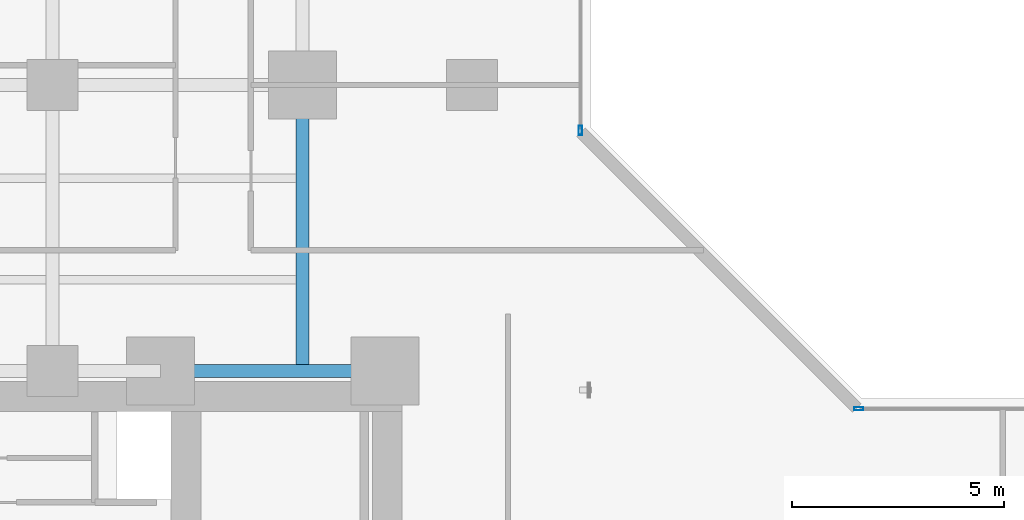
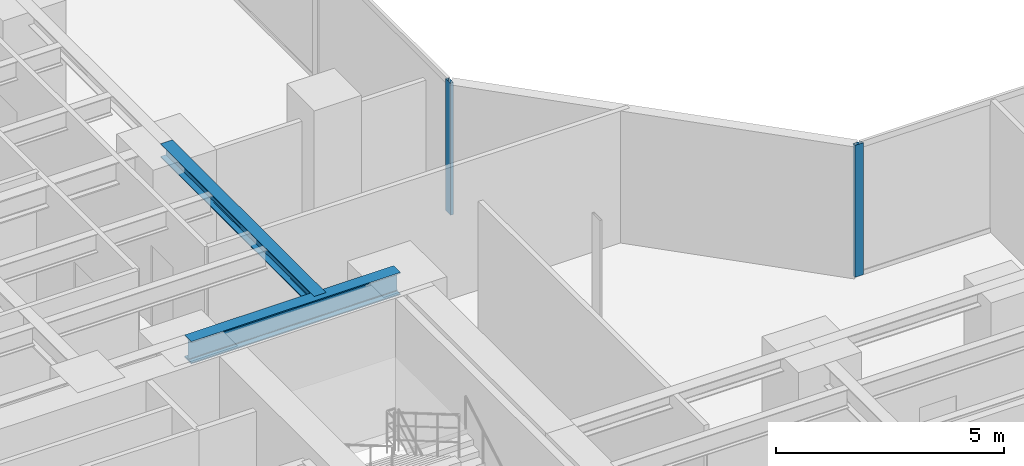
# One storey, part 8 of 28: 2 beams, 2 members, 2 elements without a shape of their own.
"""IFC4 building model written with IfcOpenShell, lengths in metres."""

from ifc_helpers import new_model, si_unit, direction, frame, origin, origin_with_axes, origin_2d, place, context, subcontext, project, spatial, hollow_rectangle, i_section, extrude, source, transform, mapped, material, layer, layer_set, material_profile, profile_set, type_object, element, aggregate, save


model = new_model("IFC4")

# Units and contexts
model_context = context("Model", 3, precision=1e-05, world=origin(), true_north=direction((0.0, 1.0)))
body_context = subcontext(model_context, "Body", "Model", "MODEL_VIEW")
ifc_project = project(units=[si_unit("LENGTHUNIT", "METRE"), si_unit("AREAUNIT", "SQUARE_METRE"), si_unit("VOLUMEUNIT", "CUBIC_METRE"), si_unit("PLANEANGLEUNIT", "RADIAN"), si_unit("MASSUNIT", "GRAM", prefix="KILO")], contexts=[model_context])

# Site, building, storey
site_placement = place(None, origin())
site = spatial("IfcSite", under=ifc_project, at=site_placement, CompositionType="ELEMENT")
building_placement = place(site_placement, origin())
building = spatial("IfcBuilding", under=site, at=building_placement, Name="Kolvaren Waterfront Exchange", CompositionType="ELEMENT")
storey_placement = place(building_placement, frame((0.0, 0.0, 56.199951171875)))
storey = spatial("IfcBuildingStorey", under=building, at=storey_placement, Name="L14", CompositionType="ELEMENT", Elevation=56.199951171875)

# Beams
ifc_material_1 = material(Name="Steel S355", Category="steel")
ifc_material_profile_1 = material_profile(ifc_material_1, i_section(OverallWidth=0.300048828125, OverallDepth=0.360107421875, WebThickness=0.012451171875, FlangeThickness=0.0224609375, FilletRadius=0.027099609375, at=origin_2d()), Name="HEB360")
ifc_profile_set_1 = profile_set([ifc_material_profile_1], Name="Steel S355")
beam_type_1 = type_object("IfcBeamType", Name="STR-BM-HEB360", PredefinedType="SPANDREL", material=ifc_profile_set_1)
beam_1_placement = place(storey_placement, frame((18.800048828125, 24.449951171875, 3.360107421875), z_axis=(0.0, 1.0, 0.0), x_axis=(-1.0, 0.0, 0.0)))
element("IfcBeam", 1, at=beam_1_placement, inside=storey, type_object=beam_type_1, Name="L14 north-arm edge beam 1", PredefinedType="SPANDREL", context=body_context, shape_type="SweptSolid", body=[
    extrude(i_section(OverallWidth=0.300048828125, OverallDepth=0.360107421875, WebThickness=0.012451171875, FlangeThickness=0.0224609375, FilletRadius=0.027099609375, at=origin_2d()), origin(), (0.0, 0.0, 1.0), 6.75),
])
ifc_material_profile_2 = material_profile(ifc_material_1, i_section(OverallWidth=0.300048828125, OverallDepth=0.60009765625, WebThickness=0.015380859375, FlangeThickness=0.030029296875, FilletRadius=0.027099609375, at=origin_2d()), Name="HEB600")
ifc_profile_set_2 = profile_set([ifc_material_profile_2], Name="Steel S355")
beam_type_2 = type_object("IfcBeamType", Name="STR-BM-HEB600", PredefinedType="BEAM", material=ifc_profile_set_2)
beam_2_placement = place(storey_placement, frame((15.449951171875, 24.449951171875, 3.239990234375), z_axis=(1.0, 0.0, 0.0), x_axis=(0.0, 1.0, 0.0)))
element("IfcBeam", 2, at=beam_2_placement, inside=storey, type_object=beam_type_2, Name="L14 north-arm girder 1C", PredefinedType="BEAM", context=body_context, shape_type="SweptSolid", body=[
    extrude(i_section(OverallWidth=0.300048828125, OverallDepth=0.60009765625, WebThickness=0.015380859375, FlangeThickness=0.030029296875, FilletRadius=0.027099609375, at=origin_2d()), origin(), (0.0, 0.0, 1.0), 5.300048828125),
])

# Curtain wall, member
ifc_material_2 = material(Name="Anodised bronze aluminium 6063-T6", Category="aluminium")
ifc_layer = layer(ifc_material_2, 0.219970703125, Name="Anodised bronze aluminium 6063-T6")
ifc_layer_set = layer_set([ifc_layer], Name="Anodised bronze aluminium 6063-T6")
curtain_wall_type = type_object("IfcCurtainWallType", Name="ARC-CW-SYS1", PredefinedType="USERDEFINED", material=ifc_layer_set)
curtain_wall_1_placement = place(storey_placement, origin())
curtain_wall_1 = element("IfcCurtainWall", 3, at=curtain_wall_1_placement, inside=storey, type_object=curtain_wall_type, Name="L14 stick curtain wall CW1 (CW-L14-NE)", ObjectType="STICK CURTAIN WALL", PredefinedType="USERDEFINED")
ifc_material_3 = material(Name="Anodised aluminium 6063-T6", Category="aluminium")
ifc_material_profile_3 = material_profile(ifc_material_3, hollow_rectangle(XDim=0.080078125, YDim=0.219970703125, WallThickness=0.0048828125, at=origin_2d()), Name="ALU-MUL-220x80x5")
ifc_profile_set_3 = profile_set([ifc_material_profile_3], Name="Anodised aluminium 6063-T6")
member_type = type_object("IfcMemberType", Name="ARC-CWM-220", PredefinedType="MULLION", material=ifc_profile_set_3)
shared_shape = source(origin_with_axes(), body_context, "Body", "SweptSolid", [
    extrude(hollow_rectangle(XDim=0.080078125, YDim=0.219970703125, WallThickness=0.0048828125, at=origin_2d()), origin(), (0.0, 0.0, 1.0), 3.5400390625),
])
member_1_placement = place(storey_placement, frame((25.360107421875, 30.1298828125, 0.0), z_axis=(0.0, 0.0, 1.0), x_axis=(-1.0, 0.0, 0.0)))
member_1 = element("IfcMember", 4, at=member_1_placement, type_object=member_type, Name="CW1 mullion 1", PredefinedType="MULLION", context=body_context, shape_type="MappedRepresentation", body=[
    mapped(shared_shape, transform((0.0, 0.0, 0.0), x_axis=(1.0, 0.0, 0.0), y_axis=(0.0, 1.0, 0.0), z_axis=(0.0, 0.0, 1.0), scale=1.0)),
])
aggregate(curtain_wall_1, [member_1])

curtain_wall_2_placement = place(storey_placement, origin())
curtain_wall_2 = element("IfcCurtainWall", 5, at=curtain_wall_2_placement, inside=storey, type_object=curtain_wall_type, Name="L14 stick curtain wall CW1 (CW-L14-EN)", ObjectType="STICK CURTAIN WALL", PredefinedType="USERDEFINED")
member_2_placement = place(storey_placement, frame((31.929931640625, 23.56005859375, 0.0), z_axis=(0.0, 0.0, 1.0), x_axis=(0.0, 1.0, 0.0)))
member_2 = element("IfcMember", 6, at=member_2_placement, type_object=member_type, Name="CW1 mullion 1", PredefinedType="MULLION", context=body_context, shape_type="MappedRepresentation", body=[
    mapped(shared_shape, transform((0.0, 0.0, 0.0), x_axis=(1.0, 0.0, 0.0), y_axis=(0.0, 1.0, 0.0), z_axis=(0.0, 0.0, 1.0), scale=1.0)),
])
aggregate(curtain_wall_2, [member_2])

save(model, "model.ifc")
